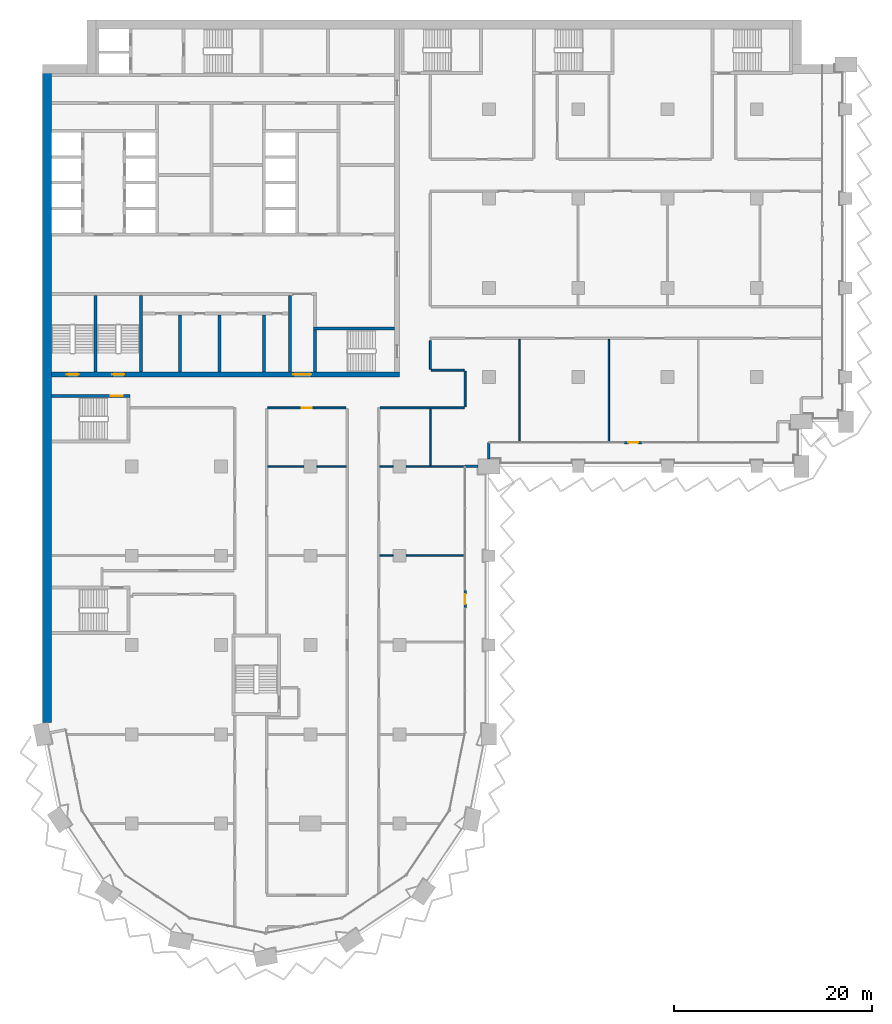
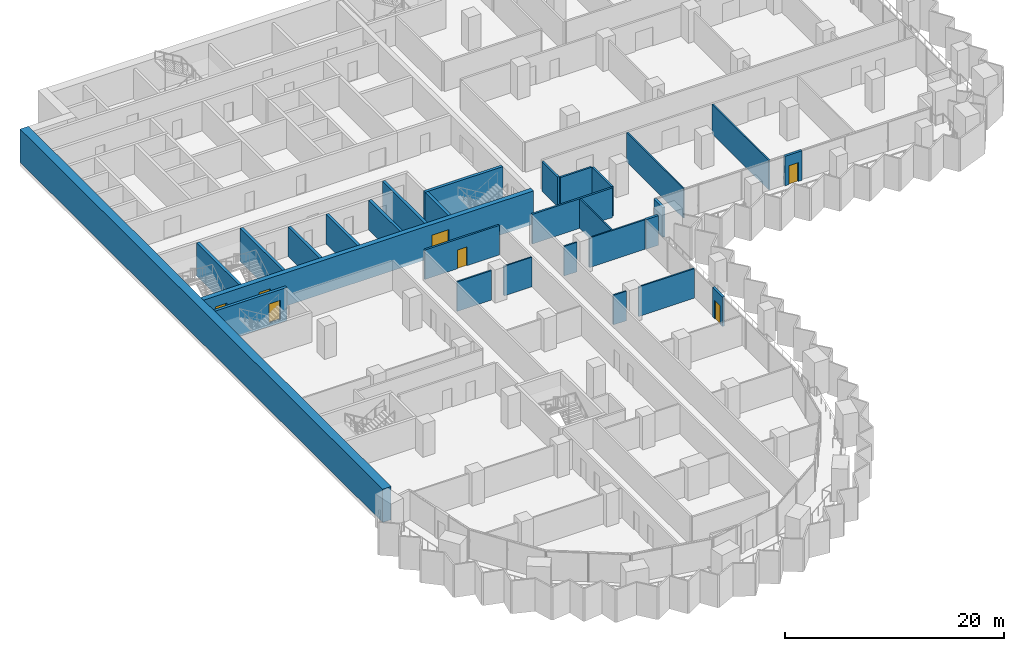
# One storey, part 11 of 22: 29 walls, 7 doors, 7 openings.
"""IFC4 building model written with IfcOpenShell, lengths in metres."""

from ifc_helpers import new_model, si_unit, direction, frame, frame_2d, origin, place, context, subcontext, project, spatial, rectangle, extrude, material, layer, layer_set, type_object, element, fill, save


model = new_model("IFC4")

# Units and contexts
model_context = context("Model", 3, precision=1e-05, world=origin(), true_north=direction((0.0, 1.0)))
body_context = subcontext(model_context, "Body", "Model", "MODEL_VIEW")
ifc_project = project(units=[si_unit("LENGTHUNIT", "METRE"), si_unit("AREAUNIT", "SQUARE_METRE"), si_unit("VOLUMEUNIT", "CUBIC_METRE"), si_unit("PLANEANGLEUNIT", "RADIAN"), si_unit("MASSUNIT", "GRAM", prefix="KILO")], contexts=[model_context])

# Site, building, storey
site_placement = place(None, origin())
site = spatial("IfcSite", under=ifc_project, at=site_placement, CompositionType="ELEMENT")
building_placement = place(site_placement, origin())
building = spatial("IfcBuilding", under=site, at=building_placement, Name="Hunhe Ridgeline Campus", CompositionType="ELEMENT")
storey_placement = place(building_placement, frame((0.0, 0.0, 84.800048828125)))
storey = spatial("IfcBuildingStorey", under=building, at=storey_placement, Name="L20", CompositionType="ELEMENT", Elevation=84.800048828125)

# Walls
ifc_material_1 = material(Name="Masonry concrete blockwork", Category="masonry")
ifc_layer_1 = layer(ifc_material_1, 0.300048828125)
ifc_layer_set_1 = layer_set([ifc_layer_1], Name="Core room partition 300 concrete block")
wall_type_1 = type_object("IfcWallType", Name="Core room partition 300 concrete block", PredefinedType="PARTITIONING", material=ifc_layer_set_1)
for number, where, z_axis, x_axis, name in (
    (1, (13.85009765625, 63.5, 0.0), (0.0, 0.0, 1.0), (0.0, 1.0, 0.0), "L20 core partition 44"),
    (2, (17.85009765625, 63.5, 0.0), (0.0, 0.0, 1.0), (0.0, 1.0, 0.0), "L20 core partition 47"),
    (3, (22.35009765625, 63.5, 0.0), (0.0, 0.0, 1.0), (0.0, 1.0, 0.0), "L20 core partition 50"),
):
    element("IfcWall", number, at=place(storey_placement, frame(where, z_axis=z_axis, x_axis=x_axis)), inside=storey, type_object=wall_type_1, Name=name, PredefinedType="PARTITIONING", context=body_context, shape_type="SweptSolid", body=[
        extrude(rectangle(XDim=5.75, YDim=0.300048828125, at=frame_2d((2.875, 0.0))), origin(), (0.0, 0.0, 1.0), 3.300048828125),
    ])
wall_1_placement = place(storey_placement, frame((24.949951171875, 63.5, 0.0), z_axis=(0.0, 0.0, 1.0), x_axis=(0.0, 1.0, 0.0)))
element("IfcWall", 4, at=wall_1_placement, inside=storey, type_object=wall_type_1, Name="L20 core partition 54", PredefinedType="PARTITIONING", context=body_context, shape_type="SweptSolid", body=[
    extrude(rectangle(XDim=7.75, YDim=0.300048828125, at=frame_2d((3.875, 0.0))), origin(), (0.0, 0.0, 1.0), 3.300048828125),
])

# Wall, openings, doors
ifc_material_2 = material(Name="Concrete C80", Category="concrete")
ifc_layer_2 = layer(ifc_material_2, 0.5)
ifc_layer_set_2 = layer_set([ifc_layer_2], Name="Core wall 500 reinforced concrete C80")
wall_type_2 = type_object("IfcWallType", Name="Core wall 500 reinforced concrete C80", PredefinedType="SOLIDWALL", material=ifc_layer_set_2)
wall_2_placement = place(storey_placement, frame((0.89990234375, 63.25, -0.400146484375), z_axis=(0.0, 0.0, 1.0), x_axis=(1.0, 0.0, 0.0)))
wall_2 = element("IfcWall", 5, at=wall_2_placement, inside=storey, type_object=wall_type_2, Name="L20 core wall 7", PredefinedType="SOLIDWALL", context=body_context, shape_type="SweptSolid", body=[
    extrude(rectangle(XDim=35.10009765625, YDim=0.5, at=frame_2d((17.550048828125, 0.0))), origin(), (0.0, 0.0, 1.0), 3.7001953125),
])
opening_1_placement = place(wall_2_placement, frame((24.39990234375, 0.0, 0.39990234375)))
opening_1 = element("IfcOpeningElement", 6, at=opening_1_placement, cuts=wall_2, Name="Opening CD6", PredefinedType="OPENING", context=body_context, shape_type="SweptSolid", body=[
    extrude(rectangle(XDim=1.800048828125, YDim=2.10009765625, at=frame_2d((0.89990234375, 1.050048828125))), frame((0.0, 0.25, 0.0), z_axis=(0.0, -1.0, 0.0), x_axis=(1.0, 0.0, 0.0)), (0.0, 0.0, 1.0), 0.5),
])
opening_2_placement = place(wall_2_placement, frame((1.550048828125, 0.0, 0.39990234375)))
opening_2 = element("IfcOpeningElement", 7, at=opening_2_placement, cuts=wall_2, Name="Opening CD13", PredefinedType="OPENING", context=body_context, shape_type="SweptSolid", body=[
    extrude(rectangle(XDim=1.199951171875, YDim=2.10009765625, at=frame_2d((0.60009765625, 1.050048828125))), frame((0.0, 0.25, 0.0), z_axis=(0.0, -1.0, 0.0), x_axis=(1.0, 0.0, 0.0)), (0.0, 0.0, 1.0), 0.5),
])
opening_3_placement = place(wall_2_placement, frame((6.14990234375, 0.0, 0.39990234375)))
opening_3 = element("IfcOpeningElement", 8, at=opening_3_placement, cuts=wall_2, Name="Opening CD14", PredefinedType="OPENING", context=body_context, shape_type="SweptSolid", body=[
    extrude(rectangle(XDim=1.199951171875, YDim=2.10009765625, at=frame_2d((0.60009765625, 1.050048828125))), frame((0.0, 0.25, 0.0), z_axis=(0.0, -1.0, 0.0), x_axis=(1.0, 0.0, 0.0)), (0.0, 0.0, 1.0), 0.5),
])
ifc_material_3 = material(Name="Anodised aluminium and glass", Category="aluminium")
door_type_1 = type_object("IfcDoorType", Name="Glazed double door 1800x2100", OperationType="DOUBLE_DOOR_SINGLE_SWING", PredefinedType="DOOR", material=ifc_material_3)
door_1_placement = place(opening_1_placement, frame((1.800048828125, 0.0, 0.0), z_axis=(0.0, 0.0, 1.0), x_axis=(-1.0, 0.0, 0.0)))
door_1 = element("IfcDoor", 9, at=door_1_placement, inside=storey, type_object=door_type_1, Name="L20 door VEST-FLOOR", OperationType="DOUBLE_DOOR_SINGLE_SWING", OverallHeight=2.10009765625, OverallWidth=1.800048828125, PredefinedType="DOOR", context=body_context, shape_type="SweptSolid", body=[
    extrude(rectangle(XDim=1.800048828125, YDim=2.10009765625, at=frame_2d((0.89990234375, 1.050048828125))), frame((0.0, 0.02490234375, 0.0), z_axis=(0.0, -1.0, 0.0), x_axis=(1.0, 0.0, 0.0)), (0.0, 0.0, 1.0), 0.050048828125),
])
fill(opening_1, door_1)
ifc_material_4 = material(Name="Hollow metal fire door leaf")
door_type_2 = type_object("IfcDoorType", Name="Stair door 1200x2100 FD60", OperationType="SINGLE_SWING_LEFT", PredefinedType="DOOR", material=ifc_material_4)
door_2_placement = place(opening_2_placement, frame((1.199951171875, 0.0, 0.0), z_axis=(0.0, 0.0, 1.0), x_axis=(-1.0, 0.0, 0.0)))
door_2 = element("IfcDoor", 10, at=door_2_placement, inside=storey, type_object=door_type_2, Name="L20 door S3", OperationType="SINGLE_SWING_RIGHT", OverallHeight=2.10009765625, OverallWidth=1.199951171875, PredefinedType="DOOR", context=body_context, shape_type="SweptSolid", body=[
    extrude(rectangle(XDim=1.199951171875, YDim=2.10009765625, at=frame_2d((0.60009765625, 1.050048828125))), frame((0.0, 0.02490234375, 0.0), z_axis=(0.0, -1.0, 0.0), x_axis=(1.0, 0.0, 0.0)), (0.0, 0.0, 1.0), 0.050048828125),
])
fill(opening_2, door_2)
door_3_placement = place(opening_3_placement, frame((1.199951171875, 0.0, 0.0), z_axis=(0.0, 0.0, 1.0), x_axis=(-1.0, 0.0, 0.0)))
door_3 = element("IfcDoor", 11, at=door_3_placement, inside=storey, type_object=door_type_2, Name="L20 door S4", OperationType="SINGLE_SWING_LEFT", OverallHeight=2.10009765625, OverallWidth=1.199951171875, PredefinedType="DOOR", context=body_context, shape_type="SweptSolid", body=[
    extrude(rectangle(XDim=1.199951171875, YDim=2.10009765625, at=frame_2d((0.60009765625, 1.050048828125))), frame((0.0, 0.02490234375, 0.0), z_axis=(0.0, -1.0, 0.0), x_axis=(1.0, 0.0, 0.0)), (0.0, 0.0, 1.0), 0.050048828125),
])
fill(opening_3, door_3)

# Walls
ifc_material_5 = material(Name="Concrete C30", Category="concrete")
ifc_layer_3 = layer(ifc_material_5, 0.25)
ifc_layer_set_3 = layer_set([ifc_layer_3], Name="Corner return wall 250 Concrete C30")
wall_type_3 = type_object("IfcWallType", Name="Corner return wall 250 Concrete C30", PredefinedType="SOLIDWALL", material=ifc_layer_set_3)
wall_3_placement = place(storey_placement, frame((42.599365234375, 54.000732421875, 0.0), z_axis=(0.0, 0.0, 1.0), x_axis=(0.99999998238, 0.000187722918, 0.0)))
element("IfcWall", 12, at=wall_3_placement, inside=storey, type_object=wall_type_3, Name="Corner return wall 2", PredefinedType="SOLIDWALL", context=body_context, shape_type="SweptSolid", body=[
    extrude(rectangle(XDim=1.300537109375, YDim=0.25, at=frame_2d((0.650390625, 0.0))), origin(), (0.0, 0.0, 1.0), 3.300048828125),
])
wall_4_placement = place(storey_placement, frame((44.999267578125, 54.75, 0.0), z_axis=(0.0, 0.0, 1.0), x_axis=(0.000443655679, 0.999999901585, 0.0)))
element("IfcWall", 13, at=wall_4_placement, inside=storey, type_object=wall_type_3, Name="Corner return wall 3", PredefinedType="SOLIDWALL", context=body_context, shape_type="SweptSolid", body=[
    extrude(rectangle(XDim=1.65087890625, YDim=0.25, at=frame_2d((0.825439453125, 0.0))), origin(), (0.0, 0.0, 1.0), 3.300048828125),
])
ifc_material_6 = material(Name="Gypsum board partition")
ifc_layer_4 = layer(ifc_material_6, 0.199951171875)
ifc_layer_set_4 = layer_set([ifc_layer_4], Name="Corridor partition 200 gypsum board on steel studs")
wall_type_4 = type_object("IfcWallType", Name="Corridor partition 200 gypsum board on steel studs", PredefinedType="PARTITIONING", material=ifc_layer_set_4)
wall_5_placement = place(storey_placement, frame((34.029296875, 59.89990234375, 0.0), z_axis=(0.0, 0.0, 1.0), x_axis=(1.0, 0.0, 0.0)))
element("IfcWall", 14, at=wall_5_placement, inside=storey, type_object=wall_type_4, Name="F-L20-wall-034", PredefinedType="PARTITIONING", context=body_context, shape_type="SweptSolid", body=[
    extrude(rectangle(XDim=8.470703125, YDim=0.199951171875, at=frame_2d((4.2353515625, 0.0))), origin(), (0.0, 0.0, 1.0), 3.300048828125),
])

# Wall, opening, door
wall_6_placement = place(storey_placement, frame((30.580810546875, 59.89990234375, 0.0), z_axis=(0.0, 0.0, 1.0), x_axis=(-1.0, 0.0, 0.0)))
wall_6 = element("IfcWall", 15, at=wall_6_placement, inside=storey, type_object=wall_type_4, Name="F-L20-wall-036", PredefinedType="PARTITIONING", context=body_context, shape_type="SweptSolid", body=[
    extrude(rectangle(XDim=7.882568359375, YDim=0.199951171875, at=frame_2d((3.94140625, 0.0))), origin(), (0.0, 0.0, 1.0), 3.300048828125),
])
opening_4_placement = place(wall_6_placement, frame((3.441162109375, 0.0, 0.0)))
opening_4 = element("IfcOpeningElement", 16, at=opening_4_placement, cuts=wall_6, Name="Opening RD1-021", PredefinedType="OPENING", context=body_context, shape_type="SweptSolid", body=[
    extrude(rectangle(XDim=1.0, YDim=2.10009765625, at=frame_2d((0.5, 1.050048828125))), frame((0.0, 0.10009765625, 0.0), z_axis=(0.0, -1.0, 0.0), x_axis=(1.0, 0.0, 0.0)), (0.0, 0.0, 1.0), 0.199951171875),
])
ifc_material_7 = material(Name="Timber door leaf", Category="wood")
door_type_3 = type_object("IfcDoorType", Name="Single fire door 1000x2100 timber FD60", OperationType="NOTDEFINED", PredefinedType="DOOR", material=ifc_material_7)
door_4_placement = place(opening_4_placement, origin())
door_4 = element("IfcDoor", 17, at=door_4_placement, inside=storey, type_object=door_type_3, Name="F-L20-door-021", OperationType="SINGLE_SWING_RIGHT", OverallHeight=2.10009765625, OverallWidth=1.0, PredefinedType="DOOR", context=body_context, shape_type="SweptSolid", body=[
    extrude(rectangle(XDim=1.0, YDim=2.10009765625, at=frame_2d((0.5, 1.050048828125))), frame((0.0, 0.02490234375, 0.0), z_axis=(0.0, -1.0, 0.0), x_axis=(1.0, 0.0, 0.0)), (0.0, 0.0, 1.0), 0.050048828125),
])
fill(opening_4, door_4)

# Walls
wall_7_placement = place(storey_placement, frame((39.199951171875, 63.699951171875, 0.0), z_axis=(0.0, 0.0, 1.0), x_axis=(1.0, 0.0, 0.0)))
element("IfcWall", 18, at=wall_7_placement, inside=storey, type_object=wall_type_4, Name="F-L20-wall-037", PredefinedType="PARTITIONING", context=body_context, shape_type="SweptSolid", body=[
    extrude(rectangle(XDim=3.300048828125, YDim=0.199951171875, at=frame_2d((1.64990234375, 0.0))), origin(), (0.0, 0.0, 1.0), 3.300048828125),
])
wall_8_placement = place(storey_placement, frame((39.10009765625, 66.669677734375, 0.0), z_axis=(0.0, 0.0, 1.0), x_axis=(0.0, -1.0, 0.0)))
element("IfcWall", 19, at=wall_8_placement, inside=storey, type_object=wall_type_4, Name="F-L20-wall-056", PredefinedType="PARTITIONING", context=body_context, shape_type="SweptSolid", body=[
    extrude(rectangle(XDim=2.86962890625, YDim=0.199951171875, at=frame_2d((1.434814453125, 0.0))), origin(), (0.0, 0.0, 1.0), 3.300048828125),
])
wall_9_placement = place(storey_placement, frame((42.60009765625, 63.60009765625, 0.0), z_axis=(0.0, 0.0, 1.0), x_axis=(0.0, -1.0, 0.0)))
element("IfcWall", 20, at=wall_9_placement, inside=storey, type_object=wall_type_4, Name="F-L20-wall-059", PredefinedType="PARTITIONING", context=body_context, shape_type="SweptSolid", body=[
    extrude(rectangle(XDim=3.60009765625, YDim=0.199951171875, at=frame_2d((1.800048828125, 0.0))), origin(), (0.0, 0.0, 1.0), 3.300048828125),
])

# Wall, opening, door
ifc_layer_5 = layer(ifc_material_5, 0.25)
ifc_layer_set_5 = layer_set([ifc_layer_5], Name="Loggia door pier wall 250 Concrete C30")
wall_type_5 = type_object("IfcWallType", Name="Loggia door pier wall 250 Concrete C30", PredefinedType="SOLIDWALL", material=ifc_layer_set_5)
wall_10_placement = place(storey_placement, frame((42.59912109375, 39.718505859375, 0.0), z_axis=(0.0, 0.0, 1.0), x_axis=(0.0, 1.0, 0.0)))
wall_10 = element("IfcWall", 21, at=wall_10_placement, inside=storey, type_object=wall_type_5, Name="Loggia door pier 3", PredefinedType="SOLIDWALL", context=body_context, shape_type="SweptSolid", body=[
    extrude(rectangle(XDim=1.800048828125, YDim=0.25, at=frame_2d((0.89990234375, 0.0))), origin(), (0.0, 0.0, 1.0), 3.300048828125),
])
opening_5_placement = place(wall_10_placement, frame((0.39990234375, 0.0, 0.0)))
opening_5 = element("IfcOpeningElement", 22, at=opening_5_placement, cuts=wall_10, Name="Opening BD205", PredefinedType="OPENING", context=body_context, shape_type="SweptSolid", body=[
    extrude(rectangle(XDim=1.0, YDim=2.10009765625, at=frame_2d((0.5, 1.050048828125))), frame((0.0, 0.125, 0.0), z_axis=(0.0, -1.0, 0.0), x_axis=(1.0, 0.0, 0.0)), (0.0, 0.0, 1.0), 0.25),
])
ifc_material_8 = material(Name="Aluminium 6063", Category="aluminium")
door_type_4 = type_object("IfcDoorType", Name="Loggia glazed door 1000x2100", OperationType="NOTDEFINED", PredefinedType="DOOR", material=ifc_material_8)
door_5_placement = place(opening_5_placement, frame((1.0, 0.0, 0.0), z_axis=(0.0, 0.0, 1.0), x_axis=(-1.0, 0.0, 0.0)))
door_5 = element("IfcDoor", 23, at=door_5_placement, inside=storey, type_object=door_type_4, Name="Loggia door BD205", OperationType="SINGLE_SWING_RIGHT", OverallHeight=2.10009765625, OverallWidth=1.0, PredefinedType="DOOR", context=body_context, shape_type="SweptSolid", body=[
    extrude(rectangle(XDim=1.0, YDim=2.10009765625, at=frame_2d((0.5, 1.050048828125))), frame((0.0, 0.02490234375, 0.0), z_axis=(0.0, -1.0, 0.0), x_axis=(1.0, 0.0, 0.0)), (0.0, 0.0, 1.0), 0.050048828125),
])
fill(opening_5, door_5)

wall_11_placement = place(storey_placement, frame((58.6494140625, 56.40087890625, 0.0), z_axis=(0.0, 0.0, 1.0), x_axis=(1.0, 0.0, 0.0)))
wall_11 = element("IfcWall", 24, at=wall_11_placement, inside=storey, type_object=wall_type_5, Name="Loggia door pier 4", PredefinedType="SOLIDWALL", context=body_context, shape_type="SweptSolid", body=[
    extrude(rectangle(XDim=1.800048828125, YDim=0.25, at=frame_2d((0.89990234375, 0.0))), origin(), (0.0, 0.0, 1.0), 3.300048828125),
])
opening_6_placement = place(wall_11_placement, frame((0.39990234375, 0.0, 0.0)))
opening_6 = element("IfcOpeningElement", 25, at=opening_6_placement, cuts=wall_11, Name="Opening BD206", PredefinedType="OPENING", context=body_context, shape_type="SweptSolid", body=[
    extrude(rectangle(XDim=1.0, YDim=2.10009765625, at=frame_2d((0.5, 1.050048828125))), frame((0.0, 0.125, 0.0), z_axis=(0.0, -1.0, 0.0), x_axis=(1.0, 0.0, 0.0)), (0.0, 0.0, 1.0), 0.25),
])
door_6_placement = place(opening_6_placement, frame((1.0, 0.0, 0.0), z_axis=(0.0, 0.0, 1.0), x_axis=(-1.0, 0.0, 0.0)))
door_6 = element("IfcDoor", 26, at=door_6_placement, inside=storey, type_object=door_type_4, Name="Loggia door BD206", OperationType="SINGLE_SWING_LEFT", OverallHeight=2.10009765625, OverallWidth=1.0, PredefinedType="DOOR", context=body_context, shape_type="SweptSolid", body=[
    extrude(rectangle(XDim=1.0, YDim=2.10009765625, at=frame_2d((0.5, 1.050048828125))), frame((0.0, 0.02490234375, 0.0), z_axis=(0.0, -1.0, 0.0), x_axis=(1.0, 0.0, 0.0)), (0.0, 0.0, 1.0), 0.050048828125),
])
fill(opening_6, door_6)

# Walls
ifc_layer_6 = layer(ifc_material_6, 0.14990234375)
ifc_layer_set_6 = layer_set([ifc_layer_6], Name="Room partition 150 gypsum board on steel studs")
wall_type_6 = type_object("IfcWallType", Name="Room partition 150 gypsum board on steel studs", PredefinedType="PARTITIONING", material=ifc_layer_set_6)
wall_12_placement = place(storey_placement, frame((34.0, 45.0, 0.0), z_axis=(0.0, 0.0, 1.0), x_axis=(1.0, 0.0, 0.0)))
element("IfcWall", 27, at=wall_12_placement, inside=storey, type_object=wall_type_6, Name="F-L20-wall-028", PredefinedType="PARTITIONING", context=body_context, shape_type="SweptSolid", body=[
    extrude(rectangle(XDim=1.35009765625, YDim=0.14990234375, at=frame_2d((0.675048828125, 0.0))), origin(), (0.0, 0.0, 1.0), 3.300048828125),
])
wall_13_placement = place(storey_placement, frame((36.64990234375, 45.0, 0.0), z_axis=(0.0, 0.0, 1.0), x_axis=(1.0, 0.0, 0.0)))
element("IfcWall", 28, at=wall_13_placement, inside=storey, type_object=wall_type_6, Name="F-L20-wall-029", PredefinedType="PARTITIONING", context=body_context, shape_type="SweptSolid", body=[
    extrude(rectangle(XDim=5.895263671875, YDim=0.14990234375, at=frame_2d((2.94775390625, 0.0))), origin(), (0.0, 0.0, 1.0), 3.300048828125),
])
wall_14_placement = place(storey_placement, frame((22.699951171875, 54.0, 0.0), z_axis=(0.0, 0.0, 1.0), x_axis=(1.0, 0.0, 0.0)))
element("IfcWall", 29, at=wall_14_placement, inside=storey, type_object=wall_type_6, Name="F-L20-wall-030", PredefinedType="PARTITIONING", context=body_context, shape_type="SweptSolid", body=[
    extrude(rectangle(XDim=3.650146484375, YDim=0.14990234375, at=frame_2d((1.8251953125, 0.0))), origin(), (0.0, 0.0, 1.0), 3.300048828125),
])
wall_15_placement = place(storey_placement, frame((27.64990234375, 54.0, 0.0), z_axis=(0.0, 0.0, 1.0), x_axis=(1.0, 0.0, 0.0)))
element("IfcWall", 30, at=wall_15_placement, inside=storey, type_object=wall_type_6, Name="F-L20-wall-031", PredefinedType="PARTITIONING", context=body_context, shape_type="SweptSolid", body=[
    extrude(rectangle(XDim=2.9501953125, YDim=0.14990234375, at=frame_2d((1.47509765625, 0.0))), origin(), (0.0, 0.0, 1.0), 3.300048828125),
])
wall_16_placement = place(storey_placement, frame((34.0, 54.0, 0.0), z_axis=(0.0, 0.0, 1.0), x_axis=(1.0, 0.0, 0.0)))
element("IfcWall", 31, at=wall_16_placement, inside=storey, type_object=wall_type_6, Name="F-L20-wall-032", PredefinedType="PARTITIONING", context=body_context, shape_type="SweptSolid", body=[
    extrude(rectangle(XDim=1.35009765625, YDim=0.14990234375, at=frame_2d((0.675048828125, 0.0))), origin(), (0.0, 0.0, 1.0), 3.300048828125),
])
wall_17_placement = place(storey_placement, frame((36.64990234375, 54.0, 0.0), z_axis=(0.0, 0.0, 1.0), x_axis=(1.0, 0.0, 0.0)))
element("IfcWall", 32, at=wall_17_placement, inside=storey, type_object=wall_type_6, Name="F-L20-wall-033", PredefinedType="PARTITIONING", context=body_context, shape_type="SweptSolid", body=[
    extrude(rectangle(XDim=5.8955078125, YDim=0.14990234375, at=frame_2d((2.94775390625, 0.0))), origin(), (0.0, 0.0, 1.0), 3.300048828125),
])
wall_18_placement = place(storey_placement, frame((39.10009765625, 59.800048828125, 0.0), z_axis=(0.0, 0.0, 1.0), x_axis=(0.0, -1.0, 0.0)))
element("IfcWall", 33, at=wall_18_placement, inside=storey, type_object=wall_type_6, Name="F-L20-wall-055", PredefinedType="PARTITIONING", context=body_context, shape_type="SweptSolid", body=[
    extrude(rectangle(XDim=5.72509765625, YDim=0.14990234375, at=frame_2d((2.862548828125, 0.0))), origin(), (0.0, 0.0, 1.0), 3.300048828125),
])
for number, where, z_axis, x_axis, name in (
    (34, (48.10009765625, 66.800048828125, 0.0), (0.0, 0.0, 1.0), (0.0, -1.0, 0.0), "F-L20-wall-060"),
    (35, (57.10009765625, 66.800048828125, 0.0), (0.0, 0.0, 1.0), (0.0, -1.0, 0.0), "F-L20-wall-065"),
):
    element("IfcWall", number, at=place(storey_placement, frame(where, z_axis=z_axis, x_axis=x_axis)), inside=storey, type_object=wall_type_6, Name=name, PredefinedType="PARTITIONING", context=body_context, shape_type="SweptSolid", body=[
        extrude(rectangle(XDim=10.344970703125, YDim=0.14990234375, at=frame_2d((5.17236328125, 0.0))), origin(), (0.0, 0.0, 1.0), 3.300048828125),
    ])
ifc_material_9 = material(Name="Concrete C70", Category="concrete")
ifc_layer_7 = layer(ifc_material_9, 0.89990234375)
ifc_layer_set_7 = layer_set([ifc_layer_7], Name="Spine wall 900 Concrete C70")
wall_type_7 = type_object("IfcWallType", Name="Spine wall 900 Concrete C70", PredefinedType="SHEAR", material=ifc_layer_set_7)
wall_19_placement = place(storey_placement, frame((0.449951171875, 94.5, 0.0), z_axis=(0.0, 0.0, 1.0), x_axis=(0.0, -1.0, 0.0)))
element("IfcWall", 36, at=wall_19_placement, inside=storey, type_object=wall_type_7, Name="Spine wall SW2-1 L20", PredefinedType="SHEAR", context=body_context, shape_type="SweptSolid", body=[
    extrude(rectangle(XDim=66.288818359375, YDim=0.89990234375, at=frame_2d((33.14453125, 0.0))), origin(), (0.0, 0.0, 1.0), 3.699951171875),
])

# Wall, opening, door
ifc_layer_8 = layer(ifc_material_2, 0.300048828125)
ifc_layer_set_8 = layer_set([ifc_layer_8], Name="Stair wall 300 reinforced concrete C80")
wall_type_8 = type_object("IfcWallType", Name="Stair wall 300 reinforced concrete C80", PredefinedType="SOLIDWALL", material=ifc_layer_set_8)
wall_20_placement = place(storey_placement, frame((0.89990234375, 61.10009765625, -0.400146484375), z_axis=(0.0, 0.0, 1.0), x_axis=(1.0, 0.0, 0.0)))
wall_20 = element("IfcWall", 37, at=wall_20_placement, inside=storey, type_object=wall_type_8, Name="L20 core wall 6", PredefinedType="SOLIDWALL", context=body_context, shape_type="SweptSolid", body=[
    extrude(rectangle(XDim=7.900146484375, YDim=0.300048828125, at=frame_2d((3.9501953125, 0.0))), origin(), (0.0, 0.0, 1.0), 3.7001953125),
])
opening_7_placement = place(wall_20_placement, frame((6.0, 0.0, 0.39990234375)))
opening_7 = element("IfcOpeningElement", 38, at=opening_7_placement, cuts=wall_20, Name="Opening CD22", PredefinedType="OPENING", context=body_context, shape_type="SweptSolid", body=[
    extrude(rectangle(XDim=1.199951171875, YDim=2.10009765625, at=frame_2d((0.60009765625, 1.050048828125))), frame((0.0, 0.14990234375, 0.0), z_axis=(0.0, -1.0, 0.0), x_axis=(1.0, 0.0, 0.0)), (0.0, 0.0, 1.0), 0.300048828125),
])
door_7_placement = place(opening_7_placement, origin())
door_7 = element("IfcDoor", 39, at=door_7_placement, inside=storey, type_object=door_type_2, Name="L20 door W2", OperationType="SINGLE_SWING_LEFT", OverallHeight=2.10009765625, OverallWidth=1.199951171875, PredefinedType="DOOR", context=body_context, shape_type="SweptSolid", body=[
    extrude(rectangle(XDim=1.199951171875, YDim=2.10009765625, at=frame_2d((0.60009765625, 1.050048828125))), frame((0.0, 0.02490234375, 0.0), z_axis=(0.0, -1.0, 0.0), x_axis=(1.0, 0.0, 0.0)), (0.0, 0.0, 1.0), 0.050048828125),
])
fill(opening_7, door_7)

# Walls
wall_21_placement = place(storey_placement, frame((27.300048828125, 67.89990234375, -0.400146484375), z_axis=(0.0, 0.0, 1.0), x_axis=(1.0, 0.0, 0.0)))
element("IfcWall", 40, at=wall_21_placement, inside=storey, type_object=wall_type_8, Name="L20 core wall 8", PredefinedType="SOLIDWALL", context=body_context, shape_type="SweptSolid", body=[
    extrude(rectangle(XDim=8.199951171875, YDim=0.300048828125, at=frame_2d((4.10009765625, 0.0))), origin(), (0.0, 0.0, 1.0), 3.7001953125),
])
for number, where, z_axis, x_axis, name in (
    (41, (5.35009765625, 63.5, -0.400146484375), (0.0, 0.0, 1.0), (0.0, 1.0, 0.0), "L20 core wall 35"),
    (42, (9.949951171875, 63.5, -0.400146484375), (0.0, 0.0, 1.0), (0.0, 1.0, 0.0), "L20 core wall 41"),
):
    element("IfcWall", number, at=place(storey_placement, frame(where, z_axis=z_axis, x_axis=x_axis)), inside=storey, type_object=wall_type_8, Name=name, PredefinedType="SOLIDWALL", context=body_context, shape_type="SweptSolid", body=[
        extrude(rectangle(XDim=7.75, YDim=0.300048828125, at=frame_2d((3.875, 0.0))), origin(), (0.0, 0.0, 1.0), 3.7001953125),
    ])
wall_22_placement = place(storey_placement, frame((27.449951171875, 63.5, -0.400146484375), z_axis=(0.0, 0.0, 1.0), x_axis=(0.0, 1.0, 0.0)))
element("IfcWall", 43, at=wall_22_placement, inside=storey, type_object=wall_type_8, Name="L20 core wall 56", PredefinedType="SOLIDWALL", context=body_context, shape_type="SweptSolid", body=[
    extrude(rectangle(XDim=4.25, YDim=0.300048828125, at=frame_2d((2.125, 0.0))), origin(), (0.0, 0.0, 1.0), 3.7001953125),
])

save(model, "model.ifc")
